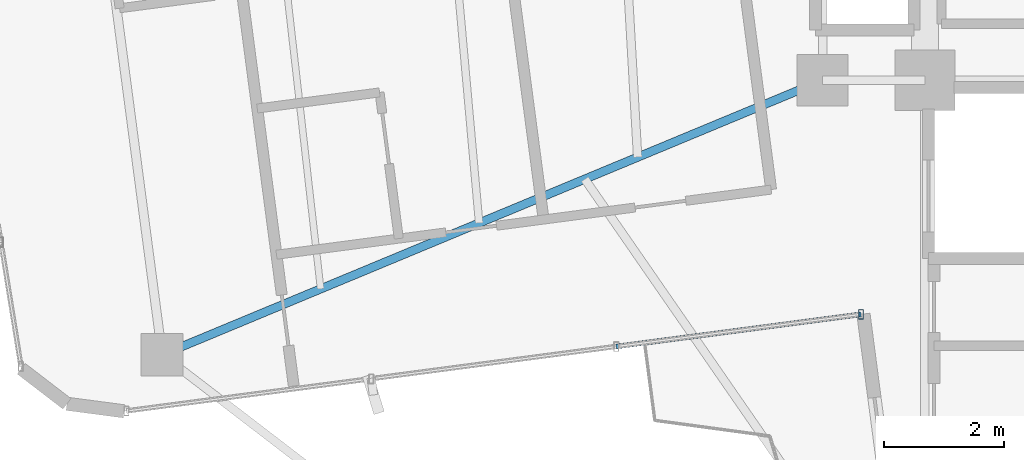
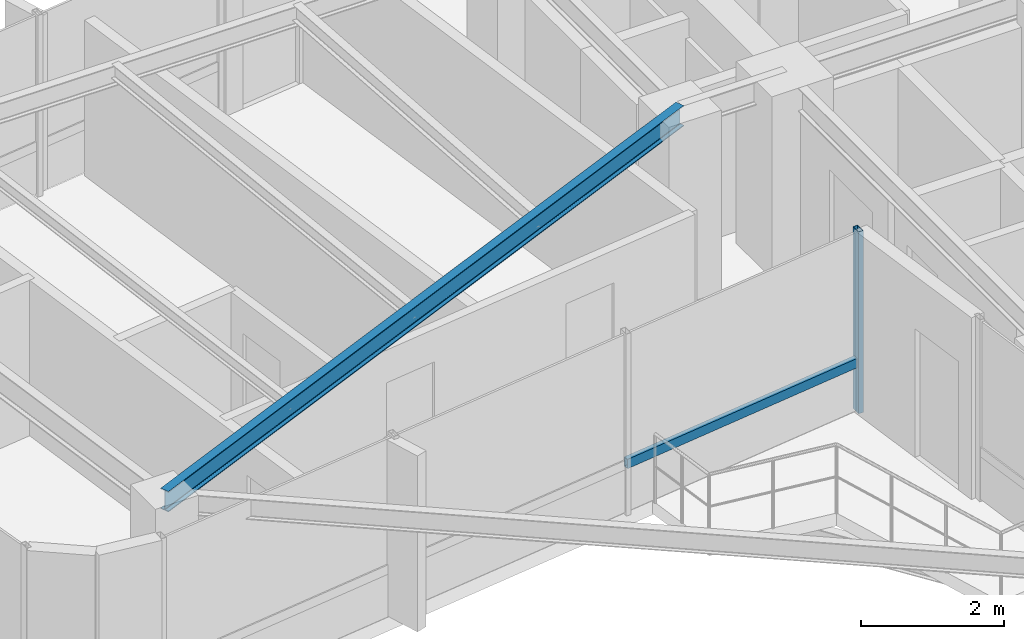
# One storey, part 3 of 22: 2 members, 1 beam, 1 element without a shape of its own.
"""IFC4 building model written with IfcOpenShell, lengths in metres."""

from ifc_helpers import new_model, si_unit, direction, frame, origin, origin_2d, place, context, subcontext, project, spatial, hollow_rectangle, i_section, extrude, source, transform, mapped, material, material_profile, profile_set, type_object, element, aggregate, save


model = new_model("IFC4")

# Units and contexts
model_context = context("Model", 3, precision=1e-05, world=origin(), true_north=direction((0.0, 1.0)))
body_context = subcontext(model_context, "Body", "Model", "MODEL_VIEW")
ifc_project = project(units=[si_unit("LENGTHUNIT", "METRE"), si_unit("AREAUNIT", "SQUARE_METRE"), si_unit("VOLUMEUNIT", "CUBIC_METRE"), si_unit("PLANEANGLEUNIT", "RADIAN"), si_unit("MASSUNIT", "GRAM", prefix="KILO")], contexts=[model_context])

# Site, building, storey
site_placement = place(None, origin())
site = spatial("IfcSite", under=ifc_project, at=site_placement, CompositionType="ELEMENT")
building_placement = place(site_placement, origin())
building = spatial("IfcBuilding", under=site, at=building_placement, Name="Sahyath Konkavel Grand Hotel", CompositionType="ELEMENT")
storey_placement = place(building_placement, frame((0.0, 0.0, 272.449951171875)))
storey = spatial("IfcBuildingStorey", under=building, at=storey_placement, Name="L76", CompositionType="ELEMENT", Elevation=272.449951171875)

# Beam
ifc_material_1 = material(Name="Steel E350", Category="steel")
ifc_material_profile_1 = material_profile(ifc_material_1, i_section(OverallWidth=0.139892578125, OverallDepth=0.35009765625, WebThickness=0.008056640625, FlangeThickness=0.01416015625, FilletRadius=0.013916015625, at=origin_2d()), Name="ISMB 350")
ifc_profile_set_1 = profile_set([ifc_material_profile_1], Name="Steel E350")
beam_type = type_object("IfcBeamType", Name="BM-ISMB350", PredefinedType="BEAM", material=ifc_profile_set_1)
shared_shape_1 = source(origin(), body_context, "Body", "SweptSolid", [
    extrude(i_section(OverallWidth=0.139892578125, OverallDepth=0.35009765625, WebThickness=0.008056640625, FlangeThickness=0.01416015625, FilletRadius=0.013916015625, at=origin_2d()), origin(), (0.0, 0.0, 1.0), 11.882080078125),
])
beam_placement = place(storey_placement, frame((-5.5, -2.39990234375, 2.93505859375), z_axis=(-0.923435785797, -0.383752979804, 0.0), x_axis=(0.383752979804, -0.923435785797, 0.0)))
element("IfcBeam", 1, at=beam_placement, inside=storey, type_object=beam_type, Name="L76 Cruciform Radial Girder WB", PredefinedType="BEAM", context=body_context, shape_type="MappedRepresentation", body=[
    mapped(shared_shape_1, transform((0.0, 0.0, 0.0), scale=1.0)),
])

# Curtain wall, members
ifc_material_2 = material(Name="Anodised Bronze Aluminium & Low-E Glazing", Category="aluminium")
curtain_wall_type = type_object("IfcCurtainWallType", Name="CW-ZONE4", PredefinedType="NOTDEFINED", material=ifc_material_2)
curtain_wall_placement = place(storey_placement, origin())
curtain_wall = element("IfcCurtainWall", 2, at=curtain_wall_placement, inside=storey, type_object=curtain_wall_type, Name="L76 Unitised Curtain Wall F23", PredefinedType="NOTDEFINED")
ifc_material_3 = material(Name="Anodised Bronze Aluminium", Category="aluminium")
ifc_material_profile_2 = material_profile(ifc_material_3, hollow_rectangle(XDim=0.080078125, YDim=0.159912109375, WallThickness=0.006103515625, at=origin_2d()), Name="RHS 160x80x6")
ifc_profile_set_2 = profile_set([ifc_material_profile_2], Name="Anodised Bronze Aluminium")
member_type_1 = type_object("IfcMemberType", Name="CW-MUL-160", PredefinedType="MULLION", material=ifc_profile_set_2)
shared_shape_2 = source(origin(), body_context, "Body", "SweptSolid", [
    extrude(hollow_rectangle(XDim=0.080078125, YDim=0.159912109375, WallThickness=0.006103515625, at=origin_2d()), origin(), (0.0, 0.0, 1.0), 3.110107421875),
])
member_1_placement = place(storey_placement, frame((-4.86083984375, -6.2880859375, 0.0), z_axis=(0.0, 0.0, 1.0), x_axis=(1.0, 0.0, 0.0)))
member_1 = element("IfcMember", 3, at=member_1_placement, type_object=member_type_1, Name="L76 Curtain Wall Mullion F23-3", PredefinedType="MULLION", context=body_context, shape_type="MappedRepresentation", body=[
    mapped(shared_shape_2, transform((0.0, 0.0, 0.0), scale=1.0)),
])
ifc_material_profile_3 = material_profile(ifc_material_3, hollow_rectangle(XDim=0.080078125, YDim=0.159912109375, WallThickness=0.006103515625, at=origin_2d()), Name="RHS 160x80x6")
ifc_profile_set_3 = profile_set([ifc_material_profile_3], Name="Anodised Bronze Aluminium")
member_type_2 = type_object("IfcMemberType", Name="CW-TRN-160", PredefinedType="USERDEFINED", material=ifc_profile_set_3)
shared_shape_3 = source(origin(), body_context, "Body", "SweptSolid", [
    extrude(hollow_rectangle(XDim=0.080078125, YDim=0.159912109375, WallThickness=0.006103515625, at=origin_2d()), origin(), (0.0, 0.0, 1.0), 4.103271484375),
])
member_2_placement = place(storey_placement, frame((-8.928955078125, -6.82373046875, 0.85009765625), z_axis=(0.991442748161, 0.130542242661, 0.0), x_axis=(-0.130542242661, 0.991442748161, 0.0)))
member_2 = element("IfcMember", 4, at=member_2_placement, type_object=member_type_2, Name="L76 Curtain Wall Transom F23-2-spandrel", ObjectType="TRANSOM", PredefinedType="USERDEFINED", context=body_context, shape_type="MappedRepresentation", body=[
    mapped(shared_shape_3, transform((0.0, 0.0, 0.0), scale=1.0)),
])
aggregate(curtain_wall, [member_1, member_2])

save(model, "model.ifc")
